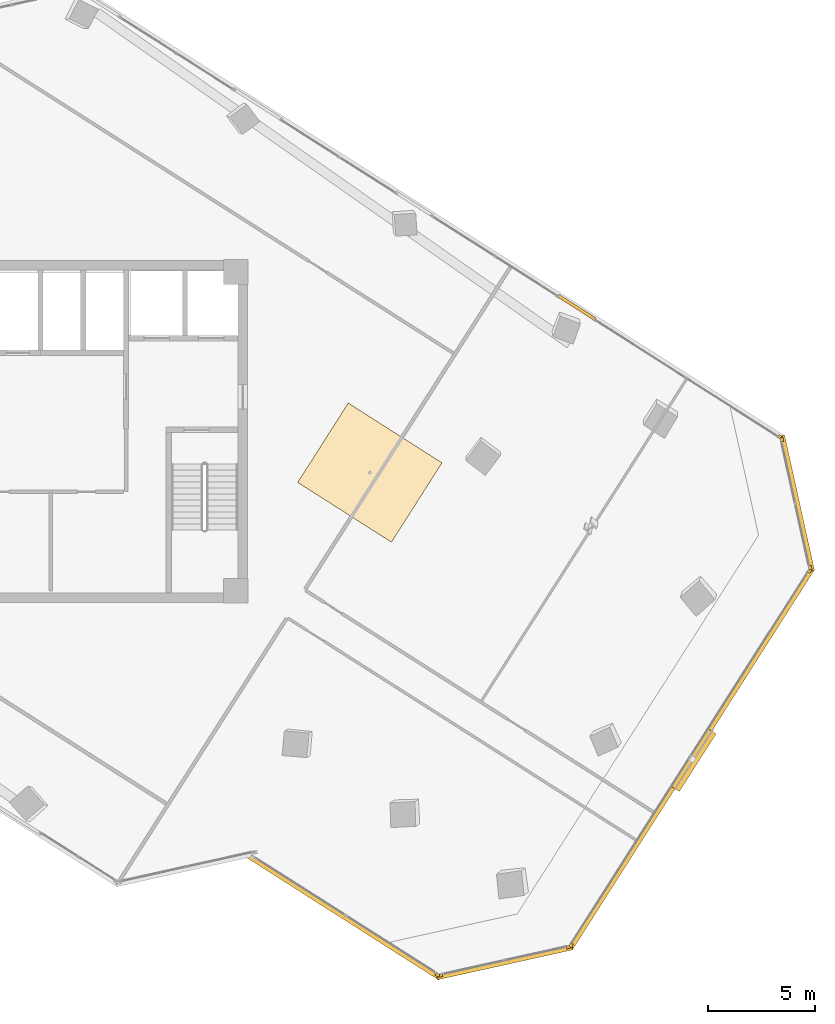
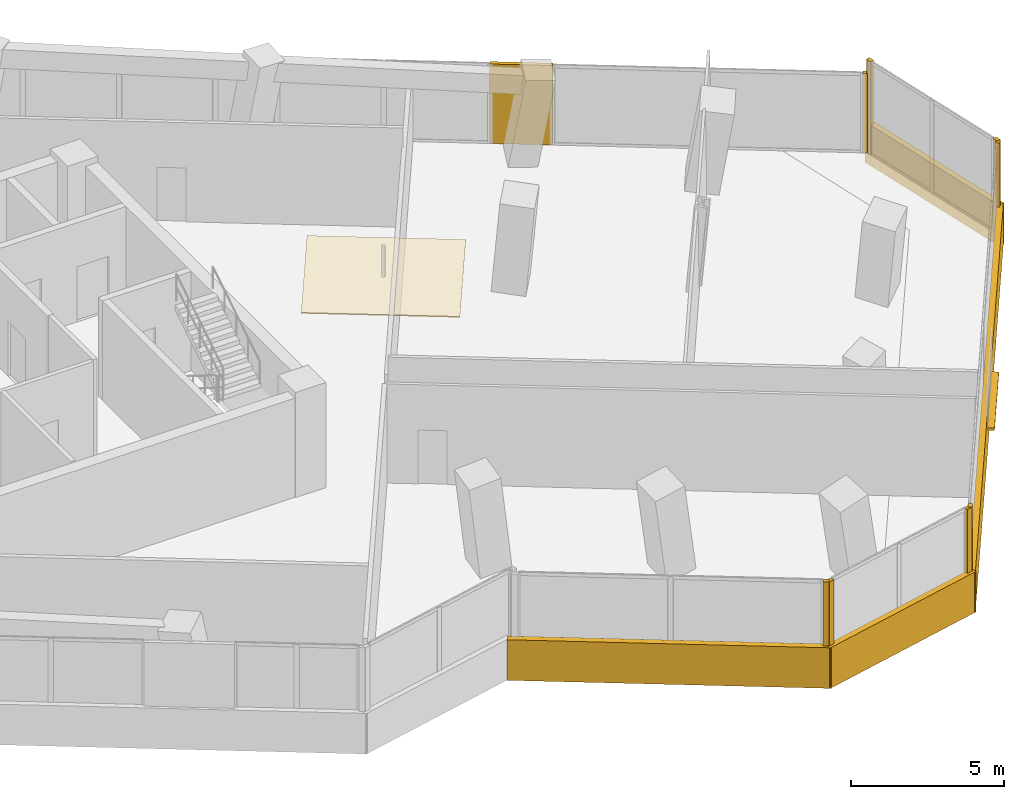
# One storey, part 23 of 24: 14 coverings, 1 shading device.
"""IFC4 building model written with IfcOpenShell, lengths in metres."""

from ifc_helpers import new_model, si_unit, direction, frame, origin, origin_2d, place, context, subcontext, project, spatial, polyline, rectangle, outline, extrude, source, transform, mapped, material, layer, layer_set, type_object, element, save


model = new_model("IFC4")

# Units and contexts
model_context = context("Model", 3, precision=1e-05, world=origin(), true_north=direction((0.0, 1.0)))
body_context = subcontext(model_context, "Body", "Model", "MODEL_VIEW")
ifc_project = project(units=[si_unit("LENGTHUNIT", "METRE"), si_unit("AREAUNIT", "SQUARE_METRE"), si_unit("VOLUMEUNIT", "CUBIC_METRE"), si_unit("PLANEANGLEUNIT", "RADIAN"), si_unit("MASSUNIT", "GRAM", prefix="KILO")], contexts=[model_context])

# Site, building, storey
site_placement = place(None, origin())
site = spatial("IfcSite", under=ifc_project, at=site_placement, CompositionType="ELEMENT")
building_placement = place(site_placement, origin())
building = spatial("IfcBuilding", under=site, at=building_placement, Name="Torre Montelarca", CompositionType="ELEMENT")
storey_placement = place(building_placement, frame((0.0, 0.0, 191.800048828125)))
storey = spatial("IfcBuildingStorey", under=building, at=storey_placement, Name="L43", CompositionType="ELEMENT", Elevation=191.800048828125)

# Coverings
ifc_material_1 = material(Name="Perforated acoustic mineral fibre board", Category="gypsum")
ifc_layer_1 = layer(ifc_material_1, 0.0400390625, Name="Perforated acoustic mineral fibre board", Category="gypsum")
ifc_layer_set_1 = layer_set([ifc_layer_1], Name="Perforated acoustic mineral fibre board")
covering_type_1 = type_object("IfcCoveringType", Name="COV-CEIL-AC1", PredefinedType="CEILING", material=ifc_layer_set_1)
covering_1_placement = place(storey_placement, frame((0.0, 0.0, 2.719970703125)))
element("IfcCovering", 1, at=covering_1_placement, inside=storey, type_object=covering_type_1, Name="L43 Acoustic Suspended Ceiling 01", PredefinedType="CEILING", context=body_context, shape_type="SweptSolid", body=[
    extrude(outline(polyline([(29.344970703125, 29.61083984375), (33.73046875, 26.81689453125), (36.094482421875, 30.52783203125), (31.708984375, 33.32177734375), (29.344970703125, 29.61083984375)])), origin(), (0.0, 0.0, 1.0), 0.0400390625),
])
ifc_material_2 = material(Name="Bush-hammered warm white precast concrete C45/55", Category="concrete")
ifc_layer_2 = layer(ifc_material_2, 0.139892578125, Name="Bush-hammered warm white precast concrete C45/55", Category="concrete")
ifc_layer_set_2 = layer_set([ifc_layer_2], Name="Bush-hammered warm white precast concrete C45/55")
covering_type_2 = type_object("IfcCoveringType", Name="COV-TRAY-CLAD", PredefinedType="CLADDING", material=ifc_layer_set_2)
shared_shape_1 = source(origin(), body_context, "Body", "SweptSolid", [
    extrude(rectangle(XDim=6.48388671875, YDim=0.219970703125, at=origin_2d()), origin(), (0.0, 0.0, 1.0), 1.6201171875),
])
for number, where, z_axis, x_axis, name in (
    (2, (39.029296875, 7.1630859375, -0.4501953125), (0.0, 0.0, 1.0), (0.976292984958, 0.216453245581, 0.0), "L43 Architectural White Spandrel Tray Band TRYBOT-05"),
    (3, (52.70751953125, 28.6337890625, -0.4501953125), (0.0, 0.0, 1.0), (-0.21643790998, 0.976296384877, 0.0), "L43 Architectural White Spandrel Tray Band TRYBOT-07"),
):
    element("IfcCovering", number, at=place(storey_placement, frame(where, z_axis=z_axis, x_axis=x_axis)), inside=storey, type_object=covering_type_2, Name=name, PredefinedType="CLADDING", context=body_context, shape_type="MappedRepresentation", body=[
        mapped(shared_shape_1, transform((0.0, 0.0, 0.0), scale=1.0)),
    ])
shared_shape_2 = source(origin(), body_context, "Body", "SweptSolid", [
    extrude(rectangle(XDim=21.1201171875, YDim=0.219970703125, at=origin_2d()), origin(), (0.0, 0.0, 1.0), 1.6201171875),
])
covering_2_placement = place(storey_placement, frame((47.758544921875, 16.6943359375, -0.4501953125), z_axis=(0.0, 0.0, 1.0), x_axis=(0.537299608347, 0.843391445813, 0.0)))
element("IfcCovering", 4, at=covering_2_placement, inside=storey, type_object=covering_type_2, Name="L43 Architectural White Spandrel Tray Band TRYBOT-06", PredefinedType="CLADDING", context=body_context, shape_type="MappedRepresentation", body=[
    mapped(shared_shape_2, transform((0.0, 0.0, 0.0), scale=1.0)),
])

# Shading device
ifc_material_3 = material(Name="Anodised champagne bronze aluminium AA 6063-T6", Category="aluminium")
ifc_layer_3 = layer(ifc_material_3, 0.070068359375, Name="Anodised champagne bronze aluminium AA 6063-T6", Category="aluminium")
ifc_layer_set_3 = layer_set([ifc_layer_3], Name="Anodised champagne bronze aluminium AA 6063-T6")
shading_device_type = type_object("IfcShadingDeviceType", Name="SHD-SUNSHADE-1", PredefinedType="USERDEFINED", material=ifc_layer_set_3)
shared_shape_3 = source(origin(), body_context, "Body", "SweptSolid", [
    extrude(rectangle(XDim=3.199951171875, YDim=0.47998046875, at=origin_2d()), origin(), (0.0, 0.0, 1.0), 0.10009765625),
])
shading_device_placement = place(storey_placement, frame((47.851318359375, 16.63525390625, 0.56982421875), z_axis=(0.0, 0.0, 1.0), x_axis=(0.537299608347, 0.843391445813, 0.0)))
element("IfcShadingDevice", 5, at=shading_device_placement, inside=storey, type_object=shading_device_type, Name="L43 Facade Solar Shading Device E6", ObjectType="SUNSHADE", PredefinedType="USERDEFINED", context=body_context, shape_type="MappedRepresentation", body=[
    mapped(shared_shape_3, transform((0.0, 0.0, 0.0), scale=1.0)),
])

# Coverings
shared_shape_4 = source(origin(), body_context, "Body", "SweptSolid", [
    extrude(rectangle(XDim=0.199951171875, YDim=0.139892578125, at=origin_2d()), origin(), (0.0, 0.0, 1.0), 3.719970703125),
])
for number, where, z_axis, x_axis, name in (
    (6, (35.879638671875, 6.583251953125, 0.0), (0.0, 0.0, 1.0), (0.843384881397, -0.537309912277, 0.0), "L43 Architectural Column Pier Cladding E04-2"),
    (7, (36.022705078125, 6.55810546875, 0.0), (0.0, 0.0, 1.0), (0.976293362738, 0.216451541628, 0.0), "L43 Architectural Column Pier Cladding E05-1"),
    (8, (42.009521484375, 7.885498046875, 0.0), (0.0, 0.0, 1.0), (0.976293362738, 0.216451541628, 0.0), "L43 Architectural Column Pier Cladding E05-2"),
    (9, (42.12841796875, 7.96875, 0.0), (0.0, 0.0, 1.0), (0.537302552335, 0.843389570278, 0.0), "L43 Architectural Column Pier Cladding E06-1"),
    (10, (53.287353515625, 25.484375, 0.0), (0.0, 0.0, 1.0), (0.537302552335, 0.843389570278, 0.0), "L43 Architectural Column Pier Cladding E06-2"),
    (11, (53.3125, 25.62744140625, 0.0), (0.0, 0.0, 1.0), (-0.216436206021, 0.976296762631, 0.0), "L43 Architectural Column Pier Cladding E07-1"),
    (12, (51.9853515625, 31.6142578125, 0.0), (0.0, 0.0, 1.0), (-0.216436206021, 0.976296762631, 0.0), "L43 Architectural Column Pier Cladding E07-2"),
):
    element("IfcCovering", number, at=place(storey_placement, frame(where, z_axis=z_axis, x_axis=x_axis)), inside=storey, type_object=covering_type_2, Name=name, PredefinedType="CLADDING", context=body_context, shape_type="MappedRepresentation", body=[
        mapped(shared_shape_4, transform((0.0, 0.0, 0.0), scale=1.0)),
    ])
shared_shape_5 = source(origin(), body_context, "Body", "SweptSolid", [
    extrude(rectangle(XDim=0.199951171875, YDim=0.139892578125, at=origin_2d()), origin(), (0.0, 0.0, 1.0), 3.175048828125),
])
covering_3_placement = place(storey_placement, frame((51.902099609375, 31.733154296875, 0.0), z_axis=(0.0, 0.0, 1.0), x_axis=(-0.843390508047, 0.537301080342, 0.0)))
element("IfcCovering", 13, at=covering_3_placement, inside=storey, type_object=covering_type_2, Name="L43 Architectural Column Pier Cladding E08-1", PredefinedType="CLADDING", context=body_context, shape_type="MappedRepresentation", body=[
    mapped(shared_shape_5, transform((0.0, 0.0, 0.0), scale=1.0)),
])
shared_shape_6 = source(origin(), body_context, "Body", "SweptSolid", [
    extrude(rectangle(XDim=10.6201171875, YDim=0.219970703125, at=origin_2d()), origin(), (0.0, 0.0, 1.0), 1.6201171875),
])
covering_4_placement = place(storey_placement, frame((31.517333984375, 9.291259765625, -0.4501953125), z_axis=(0.0, 0.0, 1.0), x_axis=(0.843388632507, -0.537304024327, 0.0)))
element("IfcCovering", 14, at=covering_4_placement, inside=storey, type_object=covering_type_2, Name="L43 Architectural White Spandrel Tray Band TRYBOT-04", PredefinedType="CLADDING", context=body_context, shape_type="MappedRepresentation", body=[
    mapped(shared_shape_6, transform((0.0, 0.0, 0.0), scale=1.0)),
])
shared_shape_7 = source(origin(), body_context, "Body", "SweptSolid", [
    extrude(rectangle(XDim=2.06005859375, YDim=0.139892578125, at=origin_2d()), origin(), (0.0, 0.0, 1.0), 3.175048828125),
])
covering_5_placement = place(storey_placement, frame((42.385009765625, 37.796142578125, 0.0), z_axis=(0.0, 0.0, 1.0), x_axis=(-0.843390508047, 0.537301080342, 0.0)))
element("IfcCovering", 15, at=covering_5_placement, inside=storey, type_object=covering_type_2, Name="L43 Architectural Column Pier Cladding E08-2", PredefinedType="CLADDING", context=body_context, shape_type="MappedRepresentation", body=[
    mapped(shared_shape_7, transform((0.0, 0.0, 0.0), scale=1.0)),
])

save(model, "model.ifc")
